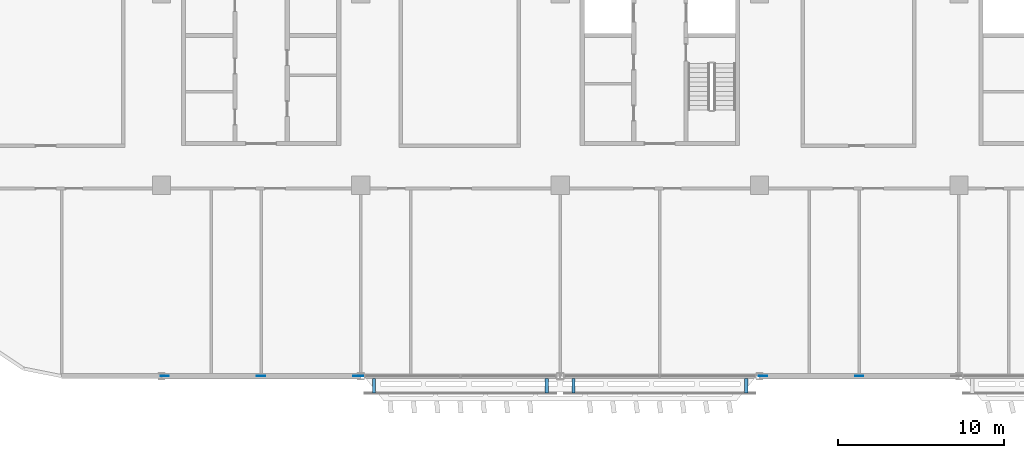
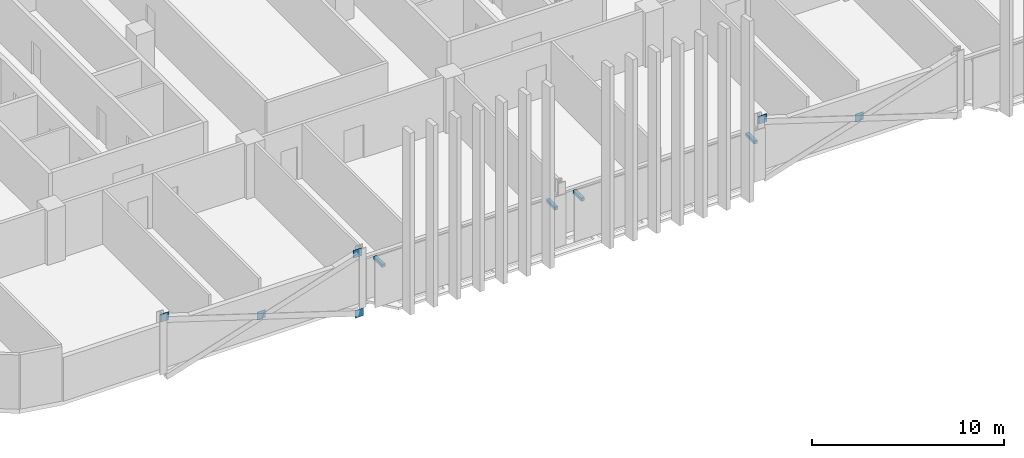
# One storey, part 16 of 28: 10 discrete accessories.
"""IFC4 building model written with IfcOpenShell, lengths in metres."""

from ifc_helpers import new_model, si_unit, direction, frame, origin, origin_2d, place, context, subcontext, project, spatial, rectangle, extrude, material, layer, layer_set, type_object, element, save


model = new_model("IFC4")

# Units and contexts
model_context = context("Model", 3, precision=1e-05, world=origin(), true_north=direction((0.0, 1.0)))
body_context = subcontext(model_context, "Body", "Model", "MODEL_VIEW")
ifc_project = project(units=[si_unit("LENGTHUNIT", "METRE"), si_unit("AREAUNIT", "SQUARE_METRE"), si_unit("VOLUMEUNIT", "CUBIC_METRE"), si_unit("PLANEANGLEUNIT", "RADIAN"), si_unit("MASSUNIT", "GRAM", prefix="KILO")], contexts=[model_context])

# Site, building, storey
site_placement = place(None, origin())
site = spatial("IfcSite", under=ifc_project, at=site_placement, CompositionType="ELEMENT")
building_placement = place(site_placement, origin())
building = spatial("IfcBuilding", under=site, at=building_placement, Name="Mahtab Terrace Research Tower", CompositionType="ELEMENT")
storey_placement = place(building_placement, frame((0.0, 0.0, 193.89990234375)))
storey = spatial("IfcBuildingStorey", under=building, at=storey_placement, Name="L46", CompositionType="ELEMENT", Elevation=193.89990234375)

# Discrete accessories
ifc_material_1 = material(Name="Black anodised aluminium", Category="aluminium")
discrete_accessory_type_1 = type_object("IfcDiscreteAccessoryType", Name="Facade bracket", PredefinedType="BRACKET", material=ifc_material_1)
for number, where, z_axis, x_axis, name in (
    (1, (-17.199951171875, -23.5625, 2.48193359375), (0.0, 0.0, 1.0), (1.0, 0.0, 0.0), "Screen bracket Girih screen L46 S26"),
    (2, (-6.800048828125, -23.5625, 2.48193359375), (0.0, 0.0, 1.0), (1.0, 0.0, 0.0), "Screen bracket Girih screen L46 S26"),
    (3, (-5.199951171875, -23.5625, 2.48193359375), (0.0, 0.0, 1.0), (1.0, 0.0, 0.0), "Screen bracket Girih screen L46 S27"),
    (4, (5.199951171875, -23.5625, 2.48193359375), (0.0, 0.0, 1.0), (1.0, 0.0, 0.0), "Screen bracket Girih screen L46 S27"),
):
    element("IfcDiscreteAccessory", number, at=place(storey_placement, frame(where, z_axis=z_axis, x_axis=x_axis)), inside=storey, type_object=discrete_accessory_type_1, Name=name, PredefinedType="BRACKET", context=body_context, shape_type="SweptSolid", body=[
        extrude(rectangle(XDim=0.199951171875, YDim=0.875, at=origin_2d()), origin(), (0.0, 0.0, 1.0), 0.199951171875),
    ])
ifc_material_2 = material(Name="Steel ASTM A992 Gr 50", Category="steel")
ifc_layer = layer(ifc_material_2, 0.030029296875)
ifc_layer_set = layer_set([ifc_layer], Name="Gusset plate 500x500x30")
discrete_accessory_type_2 = type_object("IfcDiscreteAccessoryType", Name="Gusset plate 500x500x30", PredefinedType="USERDEFINED", material=ifc_layer_set)
for number, where, z_axis, x_axis, name in (
    (5, (-29.79931640625, -23.0, 2.87109375), (0.0, 0.0, 1.0), (1.0, 0.0, 0.0), "Gusset plate"),
    (6, (-24.0, -23.0, 0.970947265625), (0.0, 0.0, 1.0), (1.0, 0.0, 0.0), "Gusset plate"),
    (7, (-18.100341796875, -23.0, -0.977783203125), (0.0, 0.0, 1.0), (1.0, 0.0, 0.0), "Gusset plate"),
    (8, (-18.20068359375, -23.0, 2.87109375), (0.0, 0.0, 1.0), (1.0, 0.0, 0.0), "Gusset plate"),
    (9, (6.20068359375, -23.0, 2.87109375), (0.0, 0.0, 1.0), (1.0, 0.0, 0.0), "Gusset plate"),
    (10, (12.0, -23.0, 0.970947265625), (0.0, 0.0, 1.0), (1.0, 0.0, 0.0), "Gusset plate"),
):
    element("IfcDiscreteAccessory", number, at=place(storey_placement, frame(where, z_axis=z_axis, x_axis=x_axis)), inside=storey, type_object=discrete_accessory_type_2, Name=name, ObjectType="GUSSET PLATE", PredefinedType="USERDEFINED", context=body_context, shape_type="SweptSolid", body=[
        extrude(rectangle(XDim=0.5, YDim=0.030029296875, at=origin_2d()), origin(), (0.0, 0.0, 1.0), 0.5),
    ])

save(model, "model.ifc")
